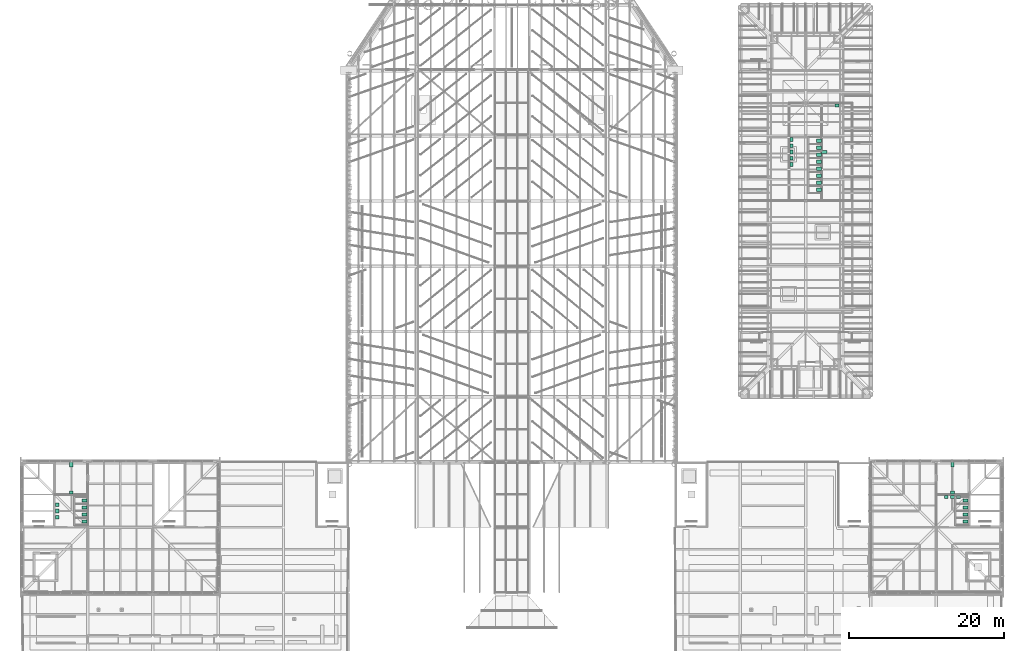
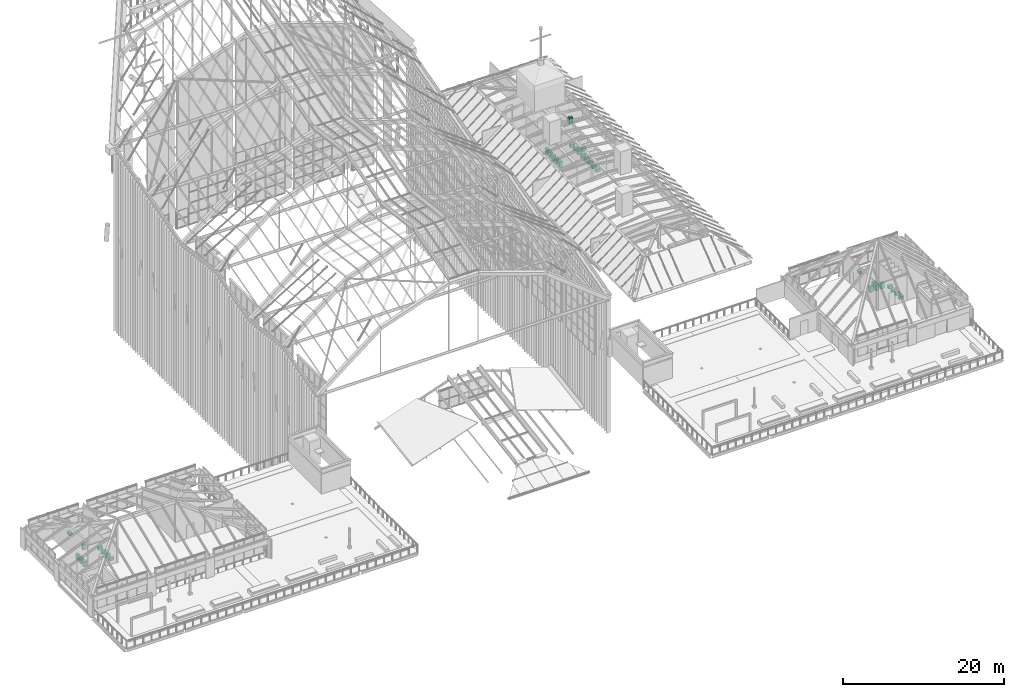
# One storey, part 125 of 126: 33 sanitary terminals.
"""IFC4 building model written with IfcOpenShell, lengths in metres."""

from ifc_helpers import new_model, si_unit, direction, frame, origin, origin_2d, place, context, subcontext, project, spatial, rectangle, extrude, element, save


model = new_model("IFC4")

# Units and contexts
model_context = context("Model", 3, precision=1e-05, world=origin(), true_north=direction((0.0, 1.0)))
body_context = subcontext(model_context, "Body", "Model", "MODEL_VIEW")
ifc_project = project(units=[si_unit("LENGTHUNIT", "METRE"), si_unit("AREAUNIT", "SQUARE_METRE"), si_unit("VOLUMEUNIT", "CUBIC_METRE"), si_unit("PLANEANGLEUNIT", "RADIAN"), si_unit("MASSUNIT", "GRAM", prefix="KILO")], contexts=[model_context])

# Site, building, storey
site_placement = place(None, origin())
site = spatial("IfcSite", under=ifc_project, at=site_placement, CompositionType="ELEMENT")
building_placement = place(site_placement, origin())
building = spatial("IfcBuilding", under=site, at=building_placement, Name="Sava Quay Ferry Terminal", CompositionType="ELEMENT")
storey_placement = place(building_placement, frame((0.0, 0.0, 15.0)))
storey = spatial("IfcBuildingStorey", under=building, at=storey_placement, Name="L03", CompositionType="ELEMENT", Elevation=15.0)

# Sanitary terminals
for number, where, z_axis, x_axis, name in (
    (1, (8.0, 42.75, 0.0), (0.0, 0.0, 1.0), (1.0, 0.0, 0.0), "WC pan"),
    (2, (8.0, 43.64990234375, 0.0), (0.0, 0.0, 1.0), (1.0, 0.0, 0.0), "WC pan"),
    (3, (8.0, 44.550048828125, 0.0), (0.0, 0.0, 1.0), (1.0, 0.0, 0.0), "WC pan"),
    (4, (8.0, 45.449951171875, 0.0), (0.0, 0.0, 1.0), (1.0, 0.0, 0.0), "WC pan"),
    (5, (121.39990234375, 42.75, 0.0), (0.0, 0.0, 1.0), (1.0, 0.0, 0.0), "WC pan"),
    (6, (121.39990234375, 43.64990234375, 0.0), (0.0, 0.0, 1.0), (1.0, 0.0, 0.0), "WC pan"),
    (7, (121.39990234375, 44.550048828125, 0.0), (0.0, 0.0, 1.0), (1.0, 0.0, 0.0), "WC pan"),
    (8, (121.39990234375, 45.449951171875, 0.0), (0.0, 0.0, 1.0), (1.0, 0.0, 0.0), "WC pan"),
    (9, (102.5, 85.449951171875, 0.0), (0.0, 0.0, 1.0), (1.0, 0.0, 0.0), "WC pan"),
    (10, (102.5, 86.35009765625, 0.0), (0.0, 0.0, 1.0), (1.0, 0.0, 0.0), "WC pan"),
    (11, (102.5, 87.25, 0.0), (0.0, 0.0, 1.0), (1.0, 0.0, 0.0), "WC pan"),
    (12, (102.5, 88.14990234375, 0.0), (0.0, 0.0, 1.0), (1.0, 0.0, 0.0), "WC pan"),
    (13, (102.5, 89.050048828125, 0.0), (0.0, 0.0, 1.0), (1.0, 0.0, 0.0), "WC pan"),
    (14, (102.5, 89.949951171875, 0.0), (0.0, 0.0, 1.0), (1.0, 0.0, 0.0), "WC pan"),
    (15, (102.5, 90.85009765625, 0.0), (0.0, 0.0, 1.0), (1.0, 0.0, 0.0), "WC pan"),
    (16, (102.5, 91.75, 0.0), (0.0, 0.0, 1.0), (1.0, 0.0, 0.0), "WC pan"),
):
    element("IfcSanitaryTerminal", number, at=place(storey_placement, frame(where, z_axis=z_axis, x_axis=x_axis)), inside=storey, Name=name, PredefinedType="WCSEAT", context=body_context, shape_type="SweptSolid", body=[
        extrude(rectangle(XDim=0.64990234375, YDim=0.39990234375, at=origin_2d()), origin(), (0.0, 0.0, 1.0), 0.39990234375),
    ])
for number, where, z_axis, x_axis, name in (
    (17, (4.5, 43.300048828125, 0.0), (0.0, 0.0, 1.0), (1.0, 0.0, 0.0), "Wash basin"),
    (18, (4.5, 44.10009765625, 0.0), (0.0, 0.0, 1.0), (1.0, 0.0, 0.0), "Wash basin"),
    (19, (4.5, 44.89990234375, 0.0), (0.0, 0.0, 1.0), (1.0, 0.0, 0.0), "Wash basin"),
):
    element("IfcSanitaryTerminal", number, at=place(storey_placement, frame(where, z_axis=z_axis, x_axis=x_axis)), inside=storey, Name=name, PredefinedType="WASHHANDBASIN", context=body_context, shape_type="SweptSolid", body=[
        extrude(rectangle(XDim=0.39990234375, YDim=0.5, at=origin_2d()), origin(), (0.0, 0.0, 1.0), 0.85009765625),
    ])
sanitary_terminal_1_placement = place(storey_placement, frame((6.300048828125, 50.10009765625, 0.0), z_axis=(0.0, 0.0, 1.0), x_axis=(1.0, 0.0, 0.0)))
element("IfcSanitaryTerminal", 20, at=sanitary_terminal_1_placement, inside=storey, Name="WC pan", PredefinedType="WCSEAT", context=body_context, shape_type="SweptSolid", body=[
    extrude(rectangle(XDim=0.39990234375, YDim=0.64990234375, at=origin_2d()), origin(), (0.0, 0.0, 1.0), 0.39990234375),
])
for number, where, z_axis, x_axis, name in (
    (21, (6.300048828125, 46.5, 0.0), (0.0, 0.0, 1.0), (1.0, 0.0, 0.0), "Wash basin"),
    (22, (118.89990234375, 45.89990234375, 0.0), (0.0, 0.0, 1.0), (1.0, 0.0, 0.0), "Wash basin"),
    (23, (119.699951171875, 45.89990234375, 0.0), (0.0, 0.0, 1.0), (1.0, 0.0, 0.0), "Wash basin"),
    (24, (120.5, 45.89990234375, 0.0), (0.0, 0.0, 1.0), (1.0, 0.0, 0.0), "Wash basin"),
):
    element("IfcSanitaryTerminal", number, at=place(storey_placement, frame(where, z_axis=z_axis, x_axis=x_axis)), inside=storey, Name=name, PredefinedType="WASHHANDBASIN", context=body_context, shape_type="SweptSolid", body=[
        extrude(rectangle(XDim=0.5, YDim=0.39990234375, at=origin_2d()), origin(), (0.0, 0.0, 1.0), 0.85009765625),
    ])
sanitary_terminal_2_placement = place(storey_placement, frame((119.699951171875, 50.10009765625, 0.0), z_axis=(0.0, 0.0, 1.0), x_axis=(1.0, 0.0, 0.0)))
element("IfcSanitaryTerminal", 25, at=sanitary_terminal_2_placement, inside=storey, Name="WC pan", PredefinedType="WCSEAT", context=body_context, shape_type="SweptSolid", body=[
    extrude(rectangle(XDim=0.39990234375, YDim=0.64990234375, at=origin_2d()), origin(), (0.0, 0.0, 1.0), 0.39990234375),
])
sanitary_terminal_3_placement = place(storey_placement, frame((119.699951171875, 46.5, 0.0), z_axis=(0.0, 0.0, 1.0), x_axis=(1.0, 0.0, 0.0)))
element("IfcSanitaryTerminal", 26, at=sanitary_terminal_3_placement, inside=storey, Name="Wash basin", PredefinedType="WASHHANDBASIN", context=body_context, shape_type="SweptSolid", body=[
    extrude(rectangle(XDim=0.5, YDim=0.39990234375, at=origin_2d()), origin(), (0.0, 0.0, 1.0), 0.85009765625),
])
for number, where, z_axis, x_axis, name in (
    (27, (99.0, 88.699951171875, 0.0), (0.0, 0.0, 1.0), (1.0, 0.0, 0.0), "Wash basin"),
    (28, (99.0, 89.5, 0.0), (0.0, 0.0, 1.0), (1.0, 0.0, 0.0), "Wash basin"),
    (29, (99.0, 90.300048828125, 0.0), (0.0, 0.0, 1.0), (1.0, 0.0, 0.0), "Wash basin"),
    (30, (99.0, 91.10009765625, 0.0), (0.0, 0.0, 1.0), (1.0, 0.0, 0.0), "Wash basin"),
    (31, (99.0, 91.89990234375, 0.0), (0.0, 0.0, 1.0), (1.0, 0.0, 0.0), "Wash basin"),
):
    element("IfcSanitaryTerminal", number, at=place(storey_placement, frame(where, z_axis=z_axis, x_axis=x_axis)), inside=storey, Name=name, PredefinedType="WASHHANDBASIN", context=body_context, shape_type="SweptSolid", body=[
        extrude(rectangle(XDim=0.39990234375, YDim=0.5, at=origin_2d()), origin(), (0.0, 0.0, 1.0), 0.85009765625),
    ])
sanitary_terminal_4_placement = place(storey_placement, frame((103.199951171875, 90.300048828125, 0.0), z_axis=(0.0, 0.0, 1.0), x_axis=(1.0, 0.0, 0.0)))
element("IfcSanitaryTerminal", 32, at=sanitary_terminal_4_placement, inside=storey, Name="WC pan", PredefinedType="WCSEAT", context=body_context, shape_type="SweptSolid", body=[
    extrude(rectangle(XDim=0.64990234375, YDim=0.39990234375, at=origin_2d()), origin(), (0.0, 0.0, 1.0), 0.39990234375),
])
sanitary_terminal_5_placement = place(storey_placement, frame((104.85009765625, 96.300048828125, 0.0), z_axis=(0.0, 0.0, 1.0), x_axis=(1.0, 0.0, 0.0)))
element("IfcSanitaryTerminal", 33, at=sanitary_terminal_5_placement, inside=storey, Name="Wash basin", PredefinedType="WASHHANDBASIN", context=body_context, shape_type="SweptSolid", body=[
    extrude(rectangle(XDim=0.5, YDim=0.39990234375, at=origin_2d()), origin(), (0.0, 0.0, 1.0), 0.85009765625),
])

save(model, "model.ifc")
